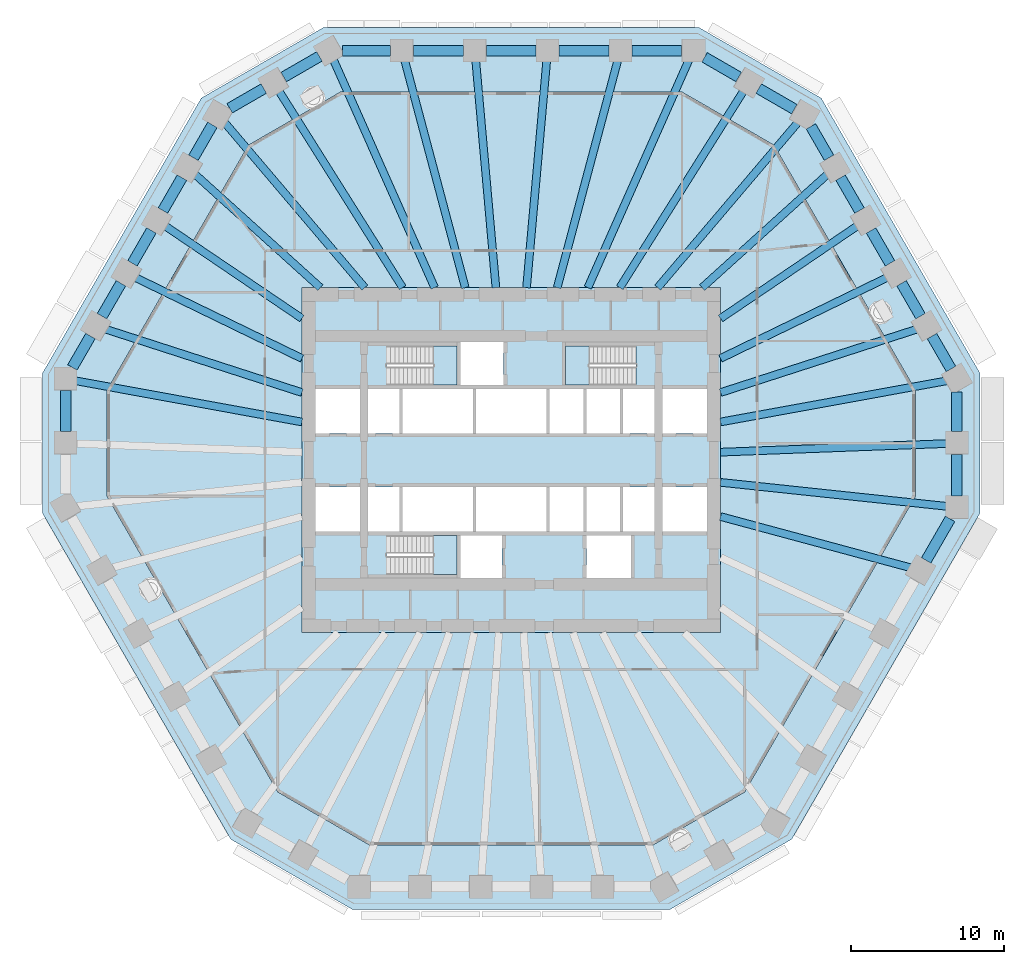
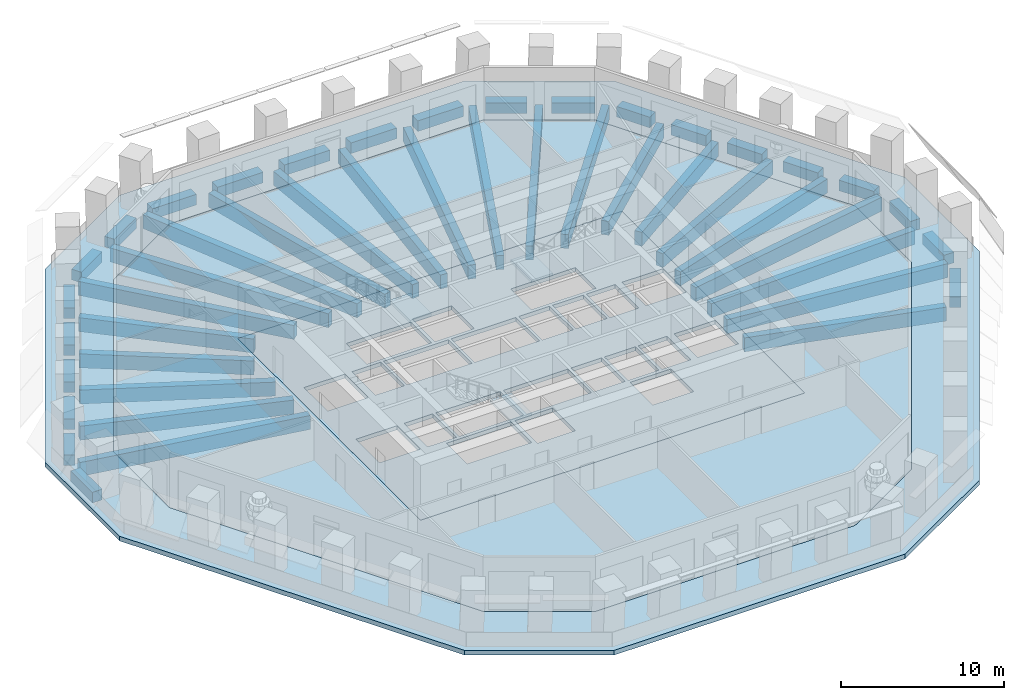
# One storey, part 2 of 12: 46 beams, 6 slabs, 3 elements without a shape of their own.
"""IFC4 building model written with IfcOpenShell, lengths in metres."""

from ifc_helpers import new_model, si_unit, direction, frame, origin, origin_2d, place, context, subcontext, project, spatial, polyline, rectangle, outline, extrude, material, layer, layer_set, material_profile, profile_set, type_object, element, aggregate, save


model = new_model("IFC4")

# Units and contexts
model_context = context("Model", 3, precision=1e-05, world=origin(), true_north=direction((0.0, 1.0)))
body_context = subcontext(model_context, "Body", "Model", "MODEL_VIEW")
ifc_project = project(units=[si_unit("LENGTHUNIT", "METRE"), si_unit("AREAUNIT", "SQUARE_METRE"), si_unit("VOLUMEUNIT", "CUBIC_METRE"), si_unit("PLANEANGLEUNIT", "RADIAN"), si_unit("MASSUNIT", "GRAM", prefix="KILO")], contexts=[model_context])

# Site, building, storey
site_placement = place(None, origin())
site = spatial("IfcSite", under=ifc_project, at=site_placement, CompositionType="ELEMENT")
building_placement = place(site_placement, origin())
building = spatial("IfcBuilding", under=site, at=building_placement, Name="Frailejon Research Tower", CompositionType="ELEMENT")
storey_placement = place(building_placement, frame((0.0, 0.0, 49.800048828125)))
storey = spatial("IfcBuildingStorey", under=building, at=storey_placement, Name="L11", CompositionType="ELEMENT", Elevation=49.800048828125)

# Beams
ifc_material_1 = material(Name="Concrete C60/75", Category="concrete")
ifc_material_profile_1 = material_profile(ifc_material_1, rectangle(XDim=0.5, YDim=1.050048828125, at=origin_2d()), Name="Girder 500x1050")
ifc_profile_set_1 = profile_set([ifc_material_profile_1], Name="Concrete C60/75")
beam_type_1 = type_object("IfcBeamType", Name="Girder 500x1050", PredefinedType="BEAM", material=ifc_profile_set_1)
beam_1_placement = place(storey_placement, frame((28.45068359375, -3.017578125, -0.824951171875), z_axis=(-0.994422271899, 0.105472011222, 0.0), x_axis=(-0.105472011222, -0.994422271899, 0.0)))
element("IfcBeam", 1, at=beam_1_placement, inside=storey, type_object=beam_type_1, Name="Girder 500x1050", PredefinedType="BEAM", context=body_context, shape_type="SweptSolid", body=[
    extrude(rectangle(XDim=0.5, YDim=1.050048828125, at=origin_2d()), origin(), (0.0, 0.0, 1.0), 14.8837890625),
])
beam_2_placement = place(storey_placement, frame((28.451416015625, 1.083251953125, -0.824951171875), z_axis=(-0.999276168094, -0.038041291767, 0.0), x_axis=(0.038041291767, -0.999276168094, 0.0)))
element("IfcBeam", 2, at=beam_2_placement, inside=storey, type_object=beam_type_1, Name="Girder 500x1050", PredefinedType="BEAM", context=body_context, shape_type="SweptSolid", body=[
    extrude(rectangle(XDim=0.5, YDim=1.050048828125, at=origin_2d()), origin(), (0.0, 0.0, 1.0), 14.812255859375),
])
beam_3_placement = place(storey_placement, frame((28.41552734375, 5.177978515625, -0.824951171875), z_axis=(-0.983799301981, -0.179273348332, 0.0), x_axis=(0.179273348332, -0.983799301981, 0.0)))
element("IfcBeam", 3, at=beam_3_placement, inside=storey, type_object=beam_type_1, Name="Girder 500x1050", PredefinedType="BEAM", context=body_context, shape_type="SweptSolid", body=[
    extrude(rectangle(XDim=0.5, YDim=1.050048828125, at=origin_2d()), origin(), (0.0, 0.0, 1.0), 15.0087890625),
])
beam_4_placement = place(storey_placement, frame((26.47607421875, 8.5478515625, -0.824951171875), z_axis=(-0.951635007796, -0.307230877251, 0.0), x_axis=(0.307230877251, -0.951635007796, 0.0)))
element("IfcBeam", 4, at=beam_4_placement, inside=storey, type_object=beam_type_1, Name="Girder 500x1050", PredefinedType="BEAM", context=body_context, shape_type="SweptSolid", body=[
    extrude(rectangle(XDim=0.5, YDim=1.050048828125, at=origin_2d()), origin(), (0.0, 0.0, 1.0), 13.47802734375),
])
beam_5_placement = place(storey_placement, frame((24.53369140625, 11.918212890625, -0.824951171875), z_axis=(-0.899485501684, -0.436950606202, 0.0), x_axis=(0.436950606202, -0.899485501684, 0.0)))
element("IfcBeam", 5, at=beam_5_placement, inside=storey, type_object=beam_type_1, Name="Girder 500x1050", PredefinedType="BEAM", context=body_context, shape_type="SweptSolid", body=[
    extrude(rectangle(XDim=0.5, YDim=1.050048828125, at=origin_2d()), origin(), (0.0, 0.0, 1.0), 12.10009765625),
])
beam_6_placement = place(storey_placement, frame((22.58837890625, 15.28759765625, -0.824951171875), z_axis=(-0.828167301181, -0.560480973142, 0.0), x_axis=(0.560480973142, -0.828167301181, 0.0)))
element("IfcBeam", 6, at=beam_6_placement, inside=storey, type_object=beam_type_1, Name="Girder 500x1050", PredefinedType="BEAM", context=body_context, shape_type="SweptSolid", body=[
    extrude(rectangle(XDim=0.5, YDim=1.050048828125, at=origin_2d()), origin(), (0.0, 0.0, 1.0), 10.79296875),
])
beam_7_placement = place(storey_placement, frame((20.640625, 18.65478515625, -0.824951171875), z_axis=(-0.741897574271, -0.670513228274, 0.0), x_axis=(0.670513228274, -0.741897574271, 0.0)))
element("IfcBeam", 7, at=beam_7_placement, inside=storey, type_object=beam_type_1, Name="Girder 500x1050", PredefinedType="BEAM", context=body_context, shape_type="SweptSolid", body=[
    extrude(rectangle(XDim=0.5, YDim=1.050048828125, at=origin_2d()), origin(), (0.0, 0.0, 1.0), 11.04345703125),
])
beam_8_placement = place(storey_placement, frame((18.714111328125, 22.045654296875, -0.824951171875), z_axis=(-0.647156343061, -0.762357309689, 0.0), x_axis=(0.762357309689, -0.647156343061, 0.0)))
element("IfcBeam", 8, at=beam_8_placement, inside=storey, type_object=beam_type_1, Name="Girder 500x1050", PredefinedType="BEAM", context=body_context, shape_type="SweptSolid", body=[
    extrude(rectangle(XDim=0.5, YDim=1.050048828125, at=origin_2d()), origin(), (0.0, 0.0, 1.0), 14.160888671875),
])
beam_9_placement = place(storey_placement, frame((15.163818359375, 24.097900390625, -0.824951171875), z_axis=(-0.532591437486, -0.84637247162, 0.0), x_axis=(0.84637247162, -0.532591437486, 0.0)))
element("IfcBeam", 9, at=beam_9_placement, inside=storey, type_object=beam_type_1, Name="Girder 500x1050", PredefinedType="BEAM", context=body_context, shape_type="SweptSolid", body=[
    extrude(rectangle(XDim=0.5, YDim=1.050048828125, at=origin_2d()), origin(), (0.0, 0.0, 1.0), 15.179931640625),
])
beam_10_placement = place(storey_placement, frame((11.5849609375, 26.087158203125, -0.824951171875), z_axis=(-0.40585938193, -0.91393553498, 0.0), x_axis=(0.91393553498, -0.40585938193, 0.0)))
element("IfcBeam", 10, at=beam_10_placement, inside=storey, type_object=beam_type_1, Name="Girder 500x1050", PredefinedType="BEAM", context=body_context, shape_type="SweptSolid", body=[
    extrude(rectangle(XDim=0.5, YDim=1.050048828125, at=origin_2d()), origin(), (0.0, 0.0, 1.0), 16.234375),
])
beam_11_placement = place(storey_placement, frame((6.953125, 26.094970703125, -0.824951171875), z_axis=(-0.257474716697, -0.966285035723, 0.0), x_axis=(0.966285035723, -0.257474716697, 0.0)))
element("IfcBeam", 11, at=beam_11_placement, inside=storey, type_object=beam_type_1, Name="Girder 500x1050", PredefinedType="BEAM", context=body_context, shape_type="SweptSolid", body=[
    extrude(rectangle(XDim=0.5, YDim=1.050048828125, at=origin_2d()), origin(), (0.0, 0.0, 1.0), 15.363037109375),
])
for number, where, z_axis, x_axis, name in (
    (12, (2.318115234375, 26.099365234375, -0.824951171875), (-0.088466853217, -0.996079121296, 0.0), (0.996079121296, -0.088466853217, 0.0), "Girder 500x1050"),
    (13, (-2.318115234375, 26.099365234375, -0.824951171875), (0.088466853217, -0.996079121296, 0.0), (0.996079121296, 0.088466853217, 0.0), "Girder 500x1050"),
):
    element("IfcBeam", number, at=place(storey_placement, frame(where, z_axis=z_axis, x_axis=x_axis)), inside=storey, type_object=beam_type_1, Name=name, PredefinedType="BEAM", context=body_context, shape_type="SweptSolid", body=[
        extrude(rectangle(XDim=0.5, YDim=1.050048828125, at=origin_2d()), origin(), (0.0, 0.0, 1.0), 14.90771484375),
    ])
beam_12_placement = place(storey_placement, frame((-6.953125, 26.094970703125, -0.824951171875), z_axis=(0.257474716697, -0.966285035723, 0.0), x_axis=(0.966285035723, 0.257474716697, 0.0)))
element("IfcBeam", 14, at=beam_12_placement, inside=storey, type_object=beam_type_1, Name="Girder 500x1050", PredefinedType="BEAM", context=body_context, shape_type="SweptSolid", body=[
    extrude(rectangle(XDim=0.5, YDim=1.050048828125, at=origin_2d()), origin(), (0.0, 0.0, 1.0), 15.363037109375),
])
beam_13_placement = place(storey_placement, frame((-11.612060546875, 26.147705078125, -0.824951171875), z_axis=(0.405870246547, -0.913930710157, 0.0), x_axis=(0.913930710157, 0.405870246547, 0.0)))
element("IfcBeam", 15, at=beam_13_placement, inside=storey, type_object=beam_type_1, Name="Girder 500x1050", PredefinedType="BEAM", context=body_context, shape_type="SweptSolid", body=[
    extrude(rectangle(XDim=0.5, YDim=1.050048828125, at=origin_2d()), origin(), (0.0, 0.0, 1.0), 16.30078125),
])
beam_14_placement = place(storey_placement, frame((-15.163818359375, 24.097900390625, -0.824951171875), z_axis=(0.532591437486, -0.84637247162, 0.0), x_axis=(0.84637247162, 0.532591437486, 0.0)))
element("IfcBeam", 16, at=beam_14_placement, inside=storey, type_object=beam_type_1, Name="Girder 500x1050", PredefinedType="BEAM", context=body_context, shape_type="SweptSolid", body=[
    extrude(rectangle(XDim=0.5, YDim=1.050048828125, at=origin_2d()), origin(), (0.0, 0.0, 1.0), 15.179931640625),
])
beam_15_placement = place(storey_placement, frame((-18.69189453125, 22.01953125, -0.824951171875), z_axis=(0.647154646256, -0.762358750084, 0.0), x_axis=(0.762358750084, 0.647154646256, 0.0)))
element("IfcBeam", 17, at=beam_15_placement, inside=storey, type_object=beam_type_1, Name="Girder 500x1050", PredefinedType="BEAM", context=body_context, shape_type="SweptSolid", body=[
    extrude(rectangle(XDim=0.5, YDim=1.050048828125, at=origin_2d()), origin(), (0.0, 0.0, 1.0), 14.126708984375),
])
beam_16_placement = place(storey_placement, frame((-20.640625, 18.65478515625, -0.824951171875), z_axis=(0.741897574271, -0.670513228274, 0.0), x_axis=(0.670513228274, 0.741897574271, 0.0)))
element("IfcBeam", 18, at=beam_16_placement, inside=storey, type_object=beam_type_1, Name="Girder 500x1050", PredefinedType="BEAM", context=body_context, shape_type="SweptSolid", body=[
    extrude(rectangle(XDim=0.5, YDim=1.050048828125, at=origin_2d()), origin(), (0.0, 0.0, 1.0), 11.04345703125),
])
beam_17_placement = place(storey_placement, frame((-22.58837890625, 15.28759765625, -0.824951171875), z_axis=(0.828167301181, -0.560480973142, 0.0), x_axis=(0.560480973142, 0.828167301181, 0.0)))
element("IfcBeam", 19, at=beam_17_placement, inside=storey, type_object=beam_type_1, Name="Girder 500x1050", PredefinedType="BEAM", context=body_context, shape_type="SweptSolid", body=[
    extrude(rectangle(XDim=0.5, YDim=1.050048828125, at=origin_2d()), origin(), (0.0, 0.0, 1.0), 10.79296875),
])
beam_18_placement = place(storey_placement, frame((-24.53369140625, 11.918212890625, -0.824951171875), z_axis=(0.899485501684, -0.436950606202, 0.0), x_axis=(0.436950606202, 0.899485501684, 0.0)))
element("IfcBeam", 20, at=beam_18_placement, inside=storey, type_object=beam_type_1, Name="Girder 500x1050", PredefinedType="BEAM", context=body_context, shape_type="SweptSolid", body=[
    extrude(rectangle(XDim=0.5, YDim=1.050048828125, at=origin_2d()), origin(), (0.0, 0.0, 1.0), 12.10009765625),
])
beam_19_placement = place(storey_placement, frame((-26.47607421875, 8.5478515625, -0.824951171875), z_axis=(0.951635007796, -0.307230877251, 0.0), x_axis=(0.307230877251, 0.951635007796, 0.0)))
element("IfcBeam", 21, at=beam_19_placement, inside=storey, type_object=beam_type_1, Name="Girder 500x1050", PredefinedType="BEAM", context=body_context, shape_type="SweptSolid", body=[
    extrude(rectangle(XDim=0.5, YDim=1.050048828125, at=origin_2d()), origin(), (0.0, 0.0, 1.0), 13.47802734375),
])
beam_20_placement = place(storey_placement, frame((-28.44921875, 5.18408203125, -0.824951171875), z_axis=(0.9837997231, -0.179271037338, 0.0), x_axis=(0.179271037338, 0.9837997231, 0.0)))
element("IfcBeam", 22, at=beam_20_placement, inside=storey, type_object=beam_type_1, Name="Girder 500x1050", PredefinedType="BEAM", context=body_context, shape_type="SweptSolid", body=[
    extrude(rectangle(XDim=0.5, YDim=1.050048828125, at=origin_2d()), origin(), (0.0, 0.0, 1.0), 15.04296875),
])
beam_21_placement = place(storey_placement, frame((26.075439453125, -7.02587890625, -0.824951171875), z_axis=(-0.965565733817, 0.260159208328, 0.0), x_axis=(-0.260159208328, -0.965565733817, 0.0)))
element("IfcBeam", 23, at=beam_21_placement, inside=storey, type_object=beam_type_1, Name="Girder 500x1050", PredefinedType="BEAM", context=body_context, shape_type="SweptSolid", body=[
    extrude(rectangle(XDim=0.5, YDim=1.050048828125, at=origin_2d()), origin(), (0.0, 0.0, 1.0), 12.86865234375),
])
ifc_material_2 = material(Name="Concrete C60/75", Category="concrete")
ifc_material_profile_2 = material_profile(ifc_material_2, rectangle(XDim=0.699951171875, YDim=0.800048828125, at=origin_2d()), Name="Spandrel 700x800")
ifc_profile_set_2 = profile_set([ifc_material_profile_2], Name="Concrete C60/75")
beam_type_2 = type_object("IfcBeamType", Name="Spandrel 700x800", PredefinedType="BEAM", material=ifc_profile_set_2)
beam_22_placement = place(storey_placement, frame((29.051513671875, -2.331298828125, -0.75), z_axis=(0.0, 1.0, 0.0), x_axis=(-1.0, 0.0, 0.0)))
element("IfcBeam", 24, at=beam_22_placement, inside=storey, type_object=beam_type_2, Name="Spandrel 700x800", PredefinedType="BEAM", context=body_context, shape_type="SweptSolid", body=[
    extrude(rectangle(XDim=0.699951171875, YDim=0.800048828125, at=origin_2d()), origin(), (0.0, 0.0, 1.0), 2.6875),
])
beam_23_placement = place(storey_placement, frame((29.051513671875, 1.856201171875, -0.75), z_axis=(0.0, 1.0, 0.0), x_axis=(-1.0, 0.0, 0.0)))
element("IfcBeam", 25, at=beam_23_placement, inside=storey, type_object=beam_type_2, Name="Spandrel 700x800", PredefinedType="BEAM", context=body_context, shape_type="SweptSolid", body=[
    extrude(rectangle(XDim=0.699951171875, YDim=0.800048828125, at=origin_2d()), origin(), (0.0, 0.0, 1.0), 2.571533203125),
])
beam_24_placement = place(storey_placement, frame((28.676513671875, 5.943359375, -0.75), z_axis=(-0.500041054325, 0.866001699761, 0.0), x_axis=(-0.866001699761, -0.500041054325, 0.0)))
element("IfcBeam", 26, at=beam_24_placement, inside=storey, type_object=beam_type_2, Name="Spandrel 700x800", PredefinedType="BEAM", context=body_context, shape_type="SweptSolid", body=[
    extrude(rectangle(XDim=0.699951171875, YDim=0.800048828125, at=origin_2d()), origin(), (0.0, 0.0, 1.0), 2.476318359375),
])
for number, where, z_axis, x_axis, name in (
    (27, (26.688232421875, 9.386962890625, -0.75), (-0.499998364937, 0.866026347786, 0.0), (-0.866026347786, -0.499998364937, 0.0), "Spandrel 700x800"),
    (28, (24.699951171875, 12.830810546875, -0.75), (-0.49992442422, 0.866069033085, 0.0), (-0.866069033085, -0.49992442422, 0.0), "Spandrel 700x800"),
):
    element("IfcBeam", number, at=place(storey_placement, frame(where, z_axis=z_axis, x_axis=x_axis)), inside=storey, type_object=beam_type_2, Name=name, PredefinedType="BEAM", context=body_context, shape_type="SweptSolid", body=[
        extrude(rectangle(XDim=0.699951171875, YDim=0.800048828125, at=origin_2d()), origin(), (0.0, 0.0, 1.0), 2.4765625),
    ])
beam_25_placement = place(storey_placement, frame((22.7119140625, 16.2744140625, -0.75), z_axis=(-0.500072294721, 0.865983660384, 0.0), x_axis=(-0.865983660384, -0.500072294721, 0.0)))
element("IfcBeam", 29, at=beam_25_placement, inside=storey, type_object=beam_type_2, Name="Spandrel 700x800", PredefinedType="BEAM", context=body_context, shape_type="SweptSolid", body=[
    extrude(rectangle(XDim=0.699951171875, YDim=0.800048828125, at=origin_2d()), origin(), (0.0, 0.0, 1.0), 2.476806640625),
])
beam_26_placement = place(storey_placement, frame((20.723388671875, 19.71826171875, -0.75), z_axis=(-0.49998806882, 0.866032292145, 0.0), x_axis=(-0.866032292145, -0.49998806882, 0.0)))
element("IfcBeam", 30, at=beam_26_placement, inside=storey, type_object=beam_type_2, Name="Spandrel 700x800", PredefinedType="BEAM", context=body_context, shape_type="SweptSolid", body=[
    extrude(rectangle(XDim=0.699951171875, YDim=0.800048828125, at=origin_2d()), origin(), (0.0, 0.0, 1.0), 2.3603515625),
])
beam_27_placement = place(storey_placement, frame((18.460693359375, 22.887451171875, -0.75), z_axis=(-0.866020687897, 0.500008168067, 0.0), x_axis=(-0.500008168067, -0.866020687897, 0.0)))
element("IfcBeam", 31, at=beam_27_placement, inside=storey, type_object=beam_type_2, Name="Spandrel 700x800", PredefinedType="BEAM", context=body_context, shape_type="SweptSolid", body=[
    extrude(rectangle(XDim=0.699951171875, YDim=0.800048828125, at=origin_2d()), origin(), (0.0, 0.0, 1.0), 2.6875),
])
beam_28_placement = place(storey_placement, frame((14.834228515625, 24.981201171875, -0.75), z_axis=(-0.866008514048, 0.50002925274, 0.0), x_axis=(-0.50002925274, -0.866008514048, 0.0)))
element("IfcBeam", 32, at=beam_28_placement, inside=storey, type_object=beam_type_2, Name="Spandrel 700x800", PredefinedType="BEAM", context=body_context, shape_type="SweptSolid", body=[
    extrude(rectangle(XDim=0.699951171875, YDim=0.800048828125, at=origin_2d()), origin(), (0.0, 0.0, 1.0), 2.571533203125),
])
for number, where, z_axis, x_axis, name in (
    (33, (11.107177734375, 26.699951171875, -0.75), (-1.0, 0.0, 0.0), (0.0, -1.0, 0.0), "Spandrel 700x800"),
    (34, (6.3642578125, 26.699951171875, -0.75), (-1.0, 0.0, 0.0), (0.0, -1.0, 0.0), "Spandrel 700x800"),
):
    element("IfcBeam", number, at=place(storey_placement, frame(where, z_axis=z_axis, x_axis=x_axis)), inside=storey, type_object=beam_type_2, Name=name, PredefinedType="BEAM", context=body_context, shape_type="SweptSolid", body=[
        extrude(rectangle(XDim=0.699951171875, YDim=0.800048828125, at=origin_2d()), origin(), (0.0, 0.0, 1.0), 3.242919921875),
    ])
beam_29_placement = place(storey_placement, frame((1.621337890625, 26.699951171875, -0.75), z_axis=(-1.0, 0.0, 0.0), x_axis=(0.0, -1.0, 0.0)))
element("IfcBeam", 35, at=beam_29_placement, inside=storey, type_object=beam_type_2, Name="Spandrel 700x800", PredefinedType="BEAM", context=body_context, shape_type="SweptSolid", body=[
    extrude(rectangle(XDim=0.699951171875, YDim=0.800048828125, at=origin_2d()), origin(), (0.0, 0.0, 1.0), 3.24267578125),
])
beam_30_placement = place(storey_placement, frame((-3.121337890625, 26.699951171875, -0.75), z_axis=(-1.0, 0.0, 0.0), x_axis=(0.0, -1.0, 0.0)))
element("IfcBeam", 36, at=beam_30_placement, inside=storey, type_object=beam_type_2, Name="Spandrel 700x800", PredefinedType="BEAM", context=body_context, shape_type="SweptSolid", body=[
    extrude(rectangle(XDim=0.699951171875, YDim=0.800048828125, at=origin_2d()), origin(), (0.0, 0.0, 1.0), 3.242919921875),
])
beam_31_placement = place(storey_placement, frame((-7.8642578125, 26.699951171875, -0.75), z_axis=(-1.0, 0.0, 0.0), x_axis=(0.0, -1.0, 0.0)))
element("IfcBeam", 37, at=beam_31_placement, inside=storey, type_object=beam_type_2, Name="Spandrel 700x800", PredefinedType="BEAM", context=body_context, shape_type="SweptSolid", body=[
    extrude(rectangle(XDim=0.699951171875, YDim=0.800048828125, at=origin_2d()), origin(), (0.0, 0.0, 1.0), 3.126953125),
])
beam_32_placement = place(storey_placement, frame((-12.506591796875, 26.324951171875, -0.75), z_axis=(-0.866043397086, -0.499968833392, 0.0), x_axis=(0.499968833392, -0.866043397086, 0.0)))
element("IfcBeam", 38, at=beam_32_placement, inside=storey, type_object=beam_type_2, Name="Spandrel 700x800", PredefinedType="BEAM", context=body_context, shape_type="SweptSolid", body=[
    extrude(rectangle(XDim=0.699951171875, YDim=0.800048828125, at=origin_2d()), origin(), (0.0, 0.0, 1.0), 2.687744140625),
])
beam_33_placement = place(storey_placement, frame((-16.13330078125, 24.231201171875, -0.75), z_axis=(-0.866008514048, -0.50002925274, 0.0), x_axis=(0.50002925274, -0.866008514048, 0.0)))
element("IfcBeam", 39, at=beam_33_placement, inside=storey, type_object=beam_type_2, Name="Spandrel 700x800", PredefinedType="BEAM", context=body_context, shape_type="SweptSolid", body=[
    extrude(rectangle(XDim=0.699951171875, YDim=0.800048828125, at=origin_2d()), origin(), (0.0, 0.0, 1.0), 2.571533203125),
])
beam_34_placement = place(storey_placement, frame((-19.4853515625, 21.86279296875, -0.75), z_axis=(-0.499967111503, -0.866044391134, 0.0), x_axis=(0.866044391134, -0.499967111503, 0.0)))
element("IfcBeam", 40, at=beam_34_placement, inside=storey, type_object=beam_type_2, Name="Spandrel 700x800", PredefinedType="BEAM", context=body_context, shape_type="SweptSolid", body=[
    extrude(rectangle(XDim=0.699951171875, YDim=0.800048828125, at=origin_2d()), origin(), (0.0, 0.0, 1.0), 2.476318359375),
])
beam_35_placement = place(storey_placement, frame((-21.473388671875, 18.419189453125, -0.75), z_axis=(-0.500072294721, -0.865983660384, 0.0), x_axis=(0.865983660384, -0.500072294721, 0.0)))
element("IfcBeam", 41, at=beam_35_placement, inside=storey, type_object=beam_type_2, Name="Spandrel 700x800", PredefinedType="BEAM", context=body_context, shape_type="SweptSolid", body=[
    extrude(rectangle(XDim=0.699951171875, YDim=0.800048828125, at=origin_2d()), origin(), (0.0, 0.0, 1.0), 2.476806640625),
])
for number, where, z_axis, x_axis, name in (
    (42, (-23.4619140625, 14.9755859375, -0.75), (-0.49992442422, -0.866069033085, 0.0), (0.866069033085, -0.49992442422, 0.0), "Spandrel 700x800"),
    (43, (-25.449951171875, 11.53173828125, -0.75), (-0.499998364937, -0.866026347786, 0.0), (0.866026347786, -0.499998364937, 0.0), "Spandrel 700x800"),
):
    element("IfcBeam", number, at=place(storey_placement, frame(where, z_axis=z_axis, x_axis=x_axis)), inside=storey, type_object=beam_type_2, Name=name, PredefinedType="BEAM", context=body_context, shape_type="SweptSolid", body=[
        extrude(rectangle(XDim=0.699951171875, YDim=0.800048828125, at=origin_2d()), origin(), (0.0, 0.0, 1.0), 2.4765625),
    ])
beam_36_placement = place(storey_placement, frame((-27.438232421875, 8.087890625, -0.75), z_axis=(-0.49998806882, -0.866032292145, 0.0), x_axis=(0.866032292145, -0.49998806882, 0.0)))
element("IfcBeam", 44, at=beam_36_placement, inside=storey, type_object=beam_type_2, Name="Spandrel 700x800", PredefinedType="BEAM", context=body_context, shape_type="SweptSolid", body=[
    extrude(rectangle(XDim=0.699951171875, YDim=0.800048828125, at=origin_2d()), origin(), (0.0, 0.0, 1.0), 2.3603515625),
])
beam_37_placement = place(storey_placement, frame((-29.051513671875, 4.543701171875, -0.75), z_axis=(0.0, -1.0, 0.0), x_axis=(1.0, 0.0, 0.0)))
element("IfcBeam", 45, at=beam_37_placement, inside=storey, type_object=beam_type_2, Name="Spandrel 700x800", PredefinedType="BEAM", context=body_context, shape_type="SweptSolid", body=[
    extrude(rectangle(XDim=0.699951171875, YDim=0.800048828125, at=origin_2d()), origin(), (0.0, 0.0, 1.0), 2.6875),
])
beam_38_placement = place(storey_placement, frame((27.054931640625, -6.539306640625, -0.75), z_axis=(0.500001804394, 0.866024362014, 0.0), x_axis=(-0.866024362014, 0.500001804394, 0.0)))
element("IfcBeam", 46, at=beam_38_placement, inside=storey, type_object=beam_type_2, Name="Spandrel 700x800", PredefinedType="BEAM", context=body_context, shape_type="SweptSolid", body=[
    extrude(rectangle(XDim=0.699951171875, YDim=0.800048828125, at=origin_2d()), origin(), (0.0, 0.0, 1.0), 3.126953125),
])

# Slabs
ifc_material_3 = material(Name="Concrete C70/85", Category="concrete")
ifc_layer_1 = layer(ifc_material_3, 0.300048828125)
ifc_layer_set_1 = layer_set([ifc_layer_1], Name="Core floor slab 300 C70/85")
slab_type_1 = type_object("IfcSlabType", Name="Core floor slab 300 C70/85", PredefinedType="FLOOR", material=ifc_layer_set_1)
slab_1_placement = place(storey_placement, frame((0.0, 0.0, -0.300048828125)))
element("IfcSlab", 47, at=slab_1_placement, inside=storey, type_object=slab_type_1, Name="Core floor slab", PredefinedType="FLOOR", context=body_context, shape_type="SweptSolid", body=[
    extrude(outline(polyline([(13.64990234375, -11.25), (13.64990234375, 11.25), (-13.64990234375, 11.25), (-13.64990234375, -11.25), (13.64990234375, -11.25)]), holes=[polyline([(-9.85009765625, 1.75), (-9.85009765625, 4.64990234375), (-12.75, 4.64990234375), (-12.75, 1.75), (-9.85009765625, 1.75)]), polyline([(-7.300048828125, 1.75), (-7.300048828125, 4.64990234375), (-9.35009765625, 4.64990234375), (-9.35009765625, 1.75), (-7.300048828125, 1.75)]), polyline([(-2.5, 1.75), (-2.5, 4.64990234375), (-7.10009765625, 4.64990234375), (-7.10009765625, 1.75), (-2.5, 1.75)]), polyline([(2.300048828125, 1.75), (2.300048828125, 4.64990234375), (-2.300048828125, 4.64990234375), (-2.300048828125, 1.75), (2.300048828125, 1.75)]), polyline([(4.699951171875, 1.75), (4.699951171875, 4.64990234375), (2.5, 4.64990234375), (2.5, 1.75), (4.699951171875, 1.75)]), polyline([(7.10009765625, 1.75), (7.10009765625, 4.64990234375), (4.89990234375, 4.64990234375), (4.89990234375, 1.75), (7.10009765625, 1.75)]), polyline([(9.35009765625, 1.75), (9.35009765625, 4.64990234375), (7.300048828125, 4.64990234375), (7.300048828125, 1.75), (9.35009765625, 1.75)]), polyline([(12.75, 1.75), (12.75, 4.64990234375), (9.85009765625, 4.64990234375), (9.85009765625, 1.75), (12.75, 1.75)]), polyline([(-9.85009765625, -4.64990234375), (-9.85009765625, -1.75), (-12.75, -1.75), (-12.75, -4.64990234375), (-9.85009765625, -4.64990234375)]), polyline([(-7.300048828125, -4.64990234375), (-7.300048828125, -1.75), (-9.35009765625, -1.75), (-9.35009765625, -4.64990234375), (-7.300048828125, -4.64990234375)]), polyline([(-2.5, -4.64990234375), (-2.5, -1.75), (-7.10009765625, -1.75), (-7.10009765625, -4.64990234375), (-2.5, -4.64990234375)]), polyline([(2.300048828125, -4.64990234375), (2.300048828125, -1.75), (-2.300048828125, -1.75), (-2.300048828125, -4.64990234375), (2.300048828125, -4.64990234375)]), polyline([(4.699951171875, -4.64990234375), (4.699951171875, -1.75), (2.5, -1.75), (2.5, -4.64990234375), (4.699951171875, -4.64990234375)]), polyline([(7.10009765625, -4.64990234375), (7.10009765625, -1.75), (4.89990234375, -1.75), (4.89990234375, -4.64990234375), (7.10009765625, -4.64990234375)]), polyline([(9.35009765625, -4.64990234375), (9.35009765625, -1.75), (7.300048828125, -1.75), (7.300048828125, -4.64990234375), (9.35009765625, -4.64990234375)]), polyline([(12.75, -4.64990234375), (12.75, -1.75), (9.85009765625, -1.75), (9.85009765625, -4.64990234375), (12.75, -4.64990234375)]), polyline([(-8.14697265625, 4.89990234375), (-3.550048828125, 4.89990234375), (-3.550048828125, 7.449951171875), (-8.14697265625, 7.449951171875), (-8.14697265625, 4.89990234375)]), polyline([(-8.14697265625, -7.449951171875), (-3.550048828125, -7.449951171875), (-3.550048828125, -4.89990234375), (-8.14697265625, -4.89990234375), (-8.14697265625, -7.449951171875)]), polyline([(8.14697265625, 7.449951171875), (3.550048828125, 7.449951171875), (3.550048828125, 4.89990234375), (8.14697265625, 4.89990234375), (8.14697265625, 7.449951171875)]), polyline([(-0.60009765625, -7.699951171875), (-0.60009765625, -4.89990234375), (-3.300048828125, -4.89990234375), (-3.300048828125, -7.699951171875), (-0.60009765625, -7.699951171875)]), polyline([(7.800048828125, -7.699951171875), (7.800048828125, -4.89990234375), (4.89990234375, -4.89990234375), (4.89990234375, -7.699951171875), (7.800048828125, -7.699951171875)]), polyline([(-0.5, 4.89990234375), (-0.5, 7.699951171875), (-3.300048828125, 7.699951171875), (-3.300048828125, 4.89990234375), (-0.5, 4.89990234375)])]), origin(), (0.0, 0.0, 1.0), 0.300048828125),
])
ifc_material_4 = material(Name="Concrete C40/50", Category="concrete")
ifc_layer_2 = layer(ifc_material_4, 0.35009765625)
ifc_layer_set_2 = layer_set([ifc_layer_2], Name="Loggia slab 350")
slab_type_2 = type_object("IfcSlabType", Name="Loggia slab 350", PredefinedType="USERDEFINED", material=ifc_layer_set_2)
slab_2_placement = place(storey_placement, frame((0.0, 0.0, -0.35009765625)))
element("IfcSlab", 48, at=slab_2_placement, inside=storey, type_object=slab_type_2, Name="Loggia slab L11", ObjectType="LOGGIA", PredefinedType="USERDEFINED", context=body_context, shape_type="SweptSolid", body=[
    extrude(outline(polyline([(18.29248046875, -24.716796875), (10.343017578125, -29.30615234375), (-10.343017578125, -29.30615234375), (-18.29248046875, -24.716796875), (-30.551513671875, -3.4833984375), (-30.551513671875, 5.69580078125), (-20.20849609375, 23.610595703125), (-12.259033203125, 28.199951171875), (12.259033203125, 28.199951171875), (20.20849609375, 23.610595703125), (30.551513671875, 5.69580078125), (30.551513671875, -3.4833984375), (18.29248046875, -24.716796875)]), holes=[polyline([(26.3515625, 4.5703125), (17.1337890625, 20.535888671875), (11.1337890625, 24.0), (-11.1337890625, 24.0), (-17.1337890625, 20.535888671875), (-26.3515625, 4.5703125), (-26.3515625, -2.35791015625), (-15.2177734375, -21.64208984375), (-9.2177734375, -25.106201171875), (9.2177734375, -25.106201171875), (15.2177734375, -21.64208984375), (26.3515625, -2.35791015625), (26.3515625, 4.5703125)])]), origin(), (0.0, 0.0, 1.0), 0.35009765625),
])
ifc_material_5 = material(Name="Concrete C40/50", Category="concrete")
ifc_layer_3 = layer(ifc_material_5, 0.300048828125)
ifc_layer_set_3 = layer_set([ifc_layer_3], Name="Slab typical 300")
slab_type_3 = type_object("IfcSlabType", Name="Slab typical 300", PredefinedType="FLOOR", material=ifc_layer_set_3)
slab_3_placement = place(storey_placement, frame((0.0, 0.0, -0.300048828125)))
element("IfcSlab", 49, at=slab_3_placement, inside=storey, type_object=slab_type_3, Name="Floor slab L11", PredefinedType="FLOOR", context=body_context, shape_type="SweptSolid", body=[
    extrude(outline(polyline([(26.3515625, -2.35791015625), (26.3515625, 4.5703125), (17.1337890625, 20.535888671875), (11.1337890625, 24.0), (-11.1337890625, 24.0), (-17.1337890625, 20.535888671875), (-26.3515625, 4.5703125), (-26.3515625, -2.35791015625), (-15.2177734375, -21.64208984375), (-9.2177734375, -25.106201171875), (9.2177734375, -25.106201171875), (15.2177734375, -21.64208984375), (26.3515625, -2.35791015625)]), holes=[polyline([(13.64990234375, -11.25), (-13.64990234375, -11.25), (-13.64990234375, 11.25), (13.64990234375, 11.25), (13.64990234375, -11.25)])]), origin(), (0.0, 0.0, 1.0), 0.300048828125),
])

# Stair, slab
ifc_material_6 = material(Name="Concrete C50/60", Category="concrete")
stair_type = type_object("IfcStairType", Name="Exit stair 24 risers", PredefinedType="HALF_TURN_STAIR", material=ifc_material_6)
stair_1_placement = place(storey_placement, origin())
stair_1 = element("IfcStair", 50, at=stair_1_placement, inside=storey, type_object=stair_type, Name="L11 Exit stair ST1", PredefinedType="HALF_TURN_STAIR")
ifc_material_7 = material(Name="Concrete C50/60", Category="concrete")
ifc_layer_4 = layer(ifc_material_7, 0.199951171875)
ifc_layer_set_4 = layer_set([ifc_layer_4], Name="Stair landing slab 200")
slab_type_4 = type_object("IfcSlabType", Name="Stair landing slab 200", PredefinedType="LANDING", material=ifc_layer_set_4)
slab_4_placement = place(storey_placement, frame((0.0, 0.0, 2.0)))
slab_4 = element("IfcSlab", 51, at=slab_4_placement, type_object=slab_type_4, Name="ST1 landing 1", PredefinedType="LANDING", context=body_context, shape_type="SweptSolid", body=[
    extrude(outline(polyline([(-5.070068359375, 4.89990234375), (-3.550048828125, 4.89990234375), (-3.550048828125, 7.449951171875), (-5.070068359375, 7.449951171875), (-5.070068359375, 4.89990234375)])), origin(), (0.0, 0.0, 1.0), 0.199951171875),
])
aggregate(stair_1, [slab_4])

stair_2_placement = place(storey_placement, origin())
stair_2 = element("IfcStair", 52, at=stair_2_placement, inside=storey, type_object=stair_type, Name="L11 Exit stair ST2", PredefinedType="HALF_TURN_STAIR")
slab_5_placement = place(storey_placement, frame((0.0, 0.0, 2.0)))
slab_5 = element("IfcSlab", 53, at=slab_5_placement, type_object=slab_type_4, Name="ST2 landing 1", PredefinedType="LANDING", context=body_context, shape_type="SweptSolid", body=[
    extrude(outline(polyline([(-5.070068359375, -7.449951171875), (-3.550048828125, -7.449951171875), (-3.550048828125, -4.89990234375), (-5.070068359375, -4.89990234375), (-5.070068359375, -7.449951171875)])), origin(), (0.0, 0.0, 1.0), 0.199951171875),
])
aggregate(stair_2, [slab_5])

stair_3_placement = place(storey_placement, origin())
stair_3 = element("IfcStair", 54, at=stair_3_placement, inside=storey, type_object=stair_type, Name="L11 Exit stair ST3", PredefinedType="HALF_TURN_STAIR")
slab_6_placement = place(storey_placement, frame((0.0, 0.0, 2.0)))
slab_6 = element("IfcSlab", 55, at=slab_6_placement, type_object=slab_type_4, Name="ST3 landing 1", PredefinedType="LANDING", context=body_context, shape_type="SweptSolid", body=[
    extrude(outline(polyline([(5.070068359375, 7.449951171875), (3.550048828125, 7.449951171875), (3.550048828125, 4.89990234375), (5.070068359375, 4.89990234375), (5.070068359375, 7.449951171875)])), origin(), (0.0, 0.0, 1.0), 0.199951171875),
])
aggregate(stair_3, [slab_6])

save(model, "model.ifc")
